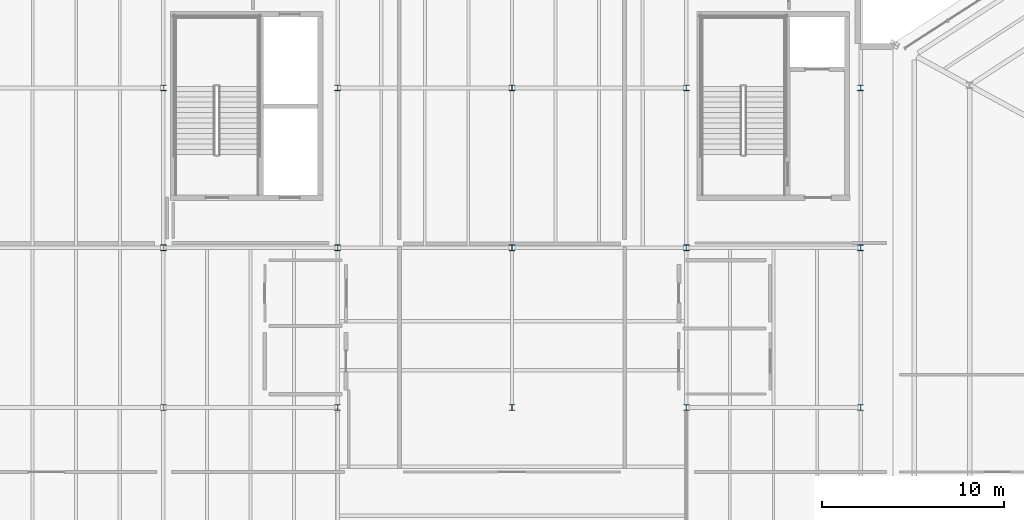
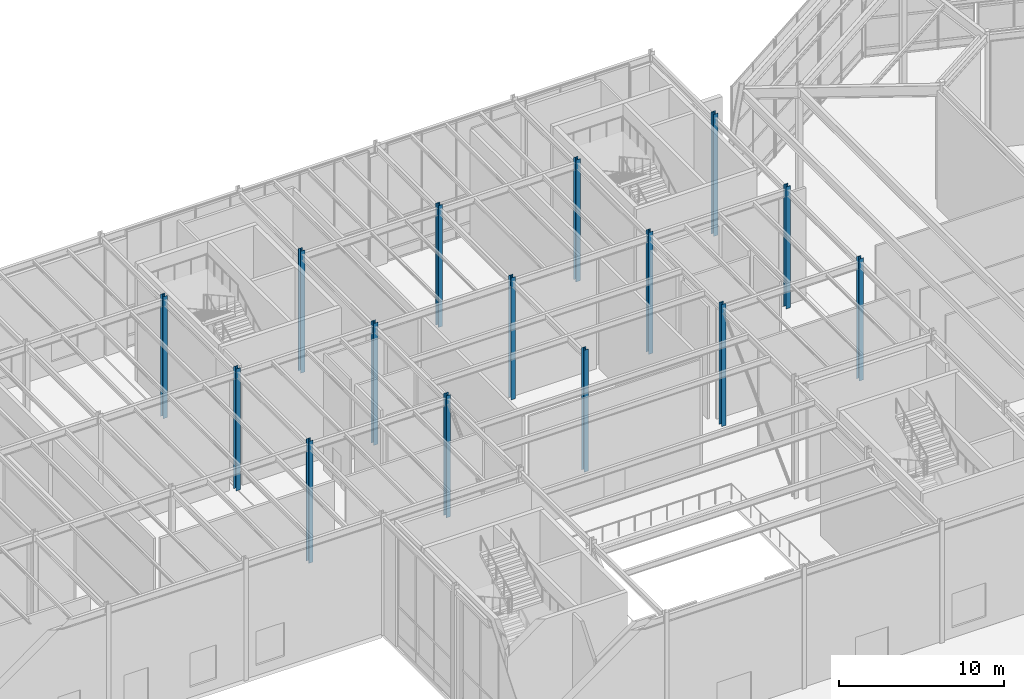
# One storey, part 4 of 48: 15 columns.
"""IFC4 building model written with IfcOpenShell, lengths in metres."""

from ifc_helpers import new_model, si_unit, direction, frame, origin, origin_2d, place, context, subcontext, project, spatial, i_section, extrude, material, material_profile, profile_set, type_object, element, save


model = new_model("IFC4")

# Units and contexts
model_context = context("Model", 3, precision=1e-05, world=origin(), true_north=direction((0.0, 1.0)))
body_context = subcontext(model_context, "Body", "Model", "MODEL_VIEW")
ifc_project = project(units=[si_unit("LENGTHUNIT", "METRE"), si_unit("AREAUNIT", "SQUARE_METRE"), si_unit("VOLUMEUNIT", "CUBIC_METRE"), si_unit("PLANEANGLEUNIT", "RADIAN"), si_unit("MASSUNIT", "GRAM", prefix="KILO")], contexts=[model_context])

# Site, building, storey
site_placement = place(None, origin())
site = spatial("IfcSite", under=ifc_project, at=site_placement, CompositionType="ELEMENT")
building_placement = place(site_placement, origin())
building = spatial("IfcBuilding", under=site, at=building_placement, Name="Sarnbrook Museum", CompositionType="ELEMENT")
storey_placement = place(building_placement, frame((0.0, 0.0, 19.10009765625)))
storey = spatial("IfcBuildingStorey", under=building, at=storey_placement, Name="L04", CompositionType="ELEMENT", Elevation=19.10009765625)

# Columns
ifc_material = material(Name="Structural Steel Grade 300PLUS (AS/NZS 3679.1, fy = 280 MPa for 17 < t <= 40 mm, 300 MPa for t <= 17 mm)", Category="steel")
ifc_material_profile = material_profile(ifc_material, i_section(OverallWidth=0.306884765625, OverallDepth=0.31494140625, WebThickness=0.011962890625, FlangeThickness=0.018798828125, FilletRadius=0.0166015625, at=origin_2d()), Name="310UC118")
ifc_profile_set = profile_set([ifc_material_profile], Name="Structural Steel Grade 300PLUS (AS/NZS 3679.1, fy = 280 MPa for 17 < t <= 40 mm, 300 MPa for t <= 17 mm)")
column_type = type_object("IfcColumnType", Name="COL-UC310", PredefinedType="COLUMN", material=ifc_profile_set)
for number, where, z_axis, x_axis, name in (
    (1, (90.39990234375, 83.199951171875, 0.0), (0.0, 0.0, 1.0), (1.0, 0.0, 0.0), "Column 10-K L04"),
    (2, (90.39990234375, 92.0, 0.0), (0.0, 0.0, 1.0), (1.0, 0.0, 0.0), "Column 10-L L04"),
    (3, (90.39990234375, 100.800048828125, 0.0), (0.0, 0.0, 1.0), (1.0, 0.0, 0.0), "Column 10-M L04"),
    (4, (100.0, 83.199951171875, 0.0), (0.0, 0.0, 1.0), (1.0, 0.0, 0.0), "Column 11-K L04"),
    (5, (100.0, 92.0, 0.0), (0.0, 0.0, 1.0), (1.0, 0.0, 0.0), "Column 11-L L04"),
    (6, (100.0, 100.800048828125, 0.0), (0.0, 0.0, 1.0), (1.0, 0.0, 0.0), "Column 11-M L04"),
    (7, (109.60009765625, 83.199951171875, 0.0), (0.0, 0.0, 1.0), (1.0, 0.0, 0.0), "Column 12-K L04"),
    (8, (109.60009765625, 92.0, 0.0), (0.0, 0.0, 1.0), (1.0, 0.0, 0.0), "Column 12-L L04"),
    (9, (109.60009765625, 100.800048828125, 0.0), (0.0, 0.0, 1.0), (1.0, 0.0, 0.0), "Column 12-M L04"),
    (10, (119.199951171875, 83.199951171875, 0.0), (0.0, 0.0, 1.0), (1.0, 0.0, 0.0), "Column 13-K L04"),
    (11, (119.199951171875, 92.0, 0.0), (0.0, 0.0, 1.0), (1.0, 0.0, 0.0), "Column 13-L L04"),
    (12, (119.199951171875, 100.800048828125, 0.0), (0.0, 0.0, 1.0), (1.0, 0.0, 0.0), "Column 13-M L04"),
    (13, (80.800048828125, 83.199951171875, 0.0), (0.0, 0.0, 1.0), (1.0, 0.0, 0.0), "Column 9-K L04"),
    (14, (80.800048828125, 92.0, 0.0), (0.0, 0.0, 1.0), (1.0, 0.0, 0.0), "Column 9-L L04"),
    (15, (80.800048828125, 100.800048828125, 0.0), (0.0, 0.0, 1.0), (1.0, 0.0, 0.0), "Column 9-M L04"),
):
    element("IfcColumn", number, at=place(storey_placement, frame(where, z_axis=z_axis, x_axis=x_axis)), inside=storey, type_object=column_type, Name=name, PredefinedType="COLUMN", context=body_context, shape_type="SweptSolid", body=[
        extrude(i_section(OverallWidth=0.306884765625, OverallDepth=0.31494140625, WebThickness=0.011962890625, FlangeThickness=0.018798828125, FilletRadius=0.0166015625, at=origin_2d()), origin(), (0.0, 0.0, 1.0), 9.0),
    ])

save(model, "model.ifc")
